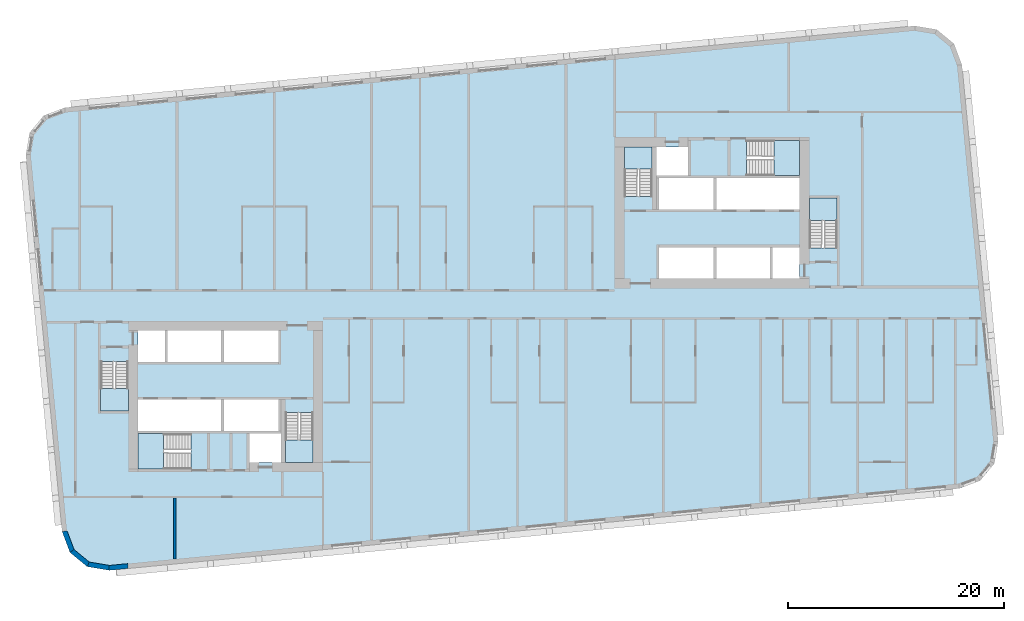
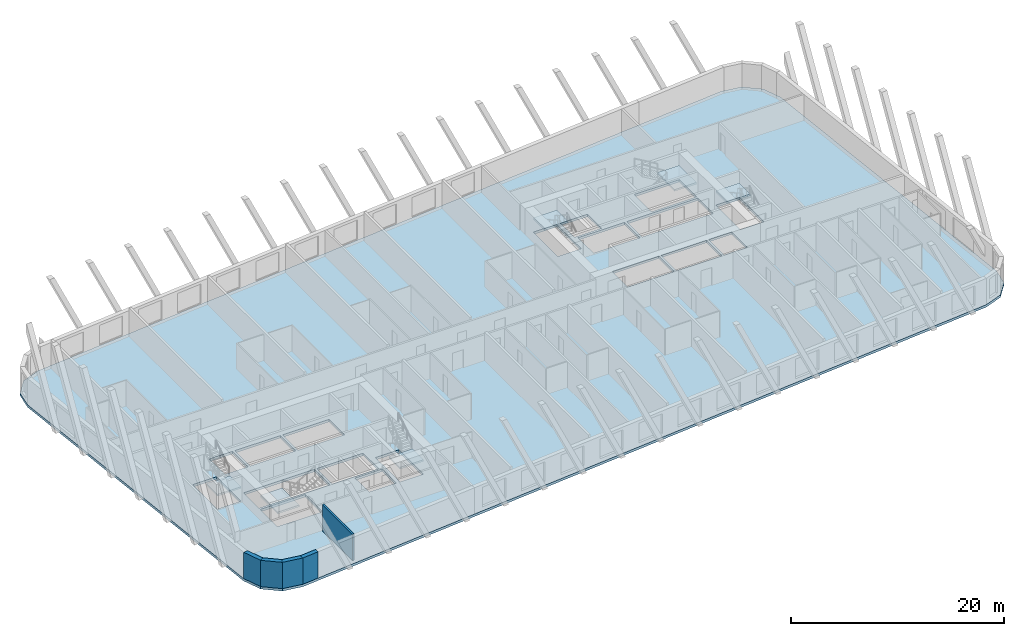
# One storey, part 1 of 13: 7 slabs, 5 walls, 6 elements without a shape of their own.
"""IFC4 building model written with IfcOpenShell, lengths in metres."""

from ifc_helpers import new_model, si_unit, direction, frame, frame_2d, origin, place, context, subcontext, project, spatial, polyline, rectangle, outline, extrude, material, layer, layer_set, type_object, element, aggregate, save


model = new_model("IFC4")

# Units and contexts
model_context = context("Model", 3, precision=1e-05, world=origin(), true_north=direction((0.0, 1.0)))
body_context = subcontext(model_context, "Body", "Model", "MODEL_VIEW")
ifc_project = project(units=[si_unit("LENGTHUNIT", "METRE"), si_unit("AREAUNIT", "SQUARE_METRE"), si_unit("VOLUMEUNIT", "CUBIC_METRE"), si_unit("PLANEANGLEUNIT", "RADIAN"), si_unit("MASSUNIT", "GRAM", prefix="KILO")], contexts=[model_context])

# Site, building, storey
site_placement = place(None, origin())
site = spatial("IfcSite", under=ifc_project, at=site_placement, CompositionType="ELEMENT")
building_placement = place(site_placement, origin())
building = spatial("IfcBuilding", under=site, at=building_placement, Name="Kajstack Hotel Tower", CompositionType="ELEMENT")
storey_placement = place(building_placement, frame((0.0, 0.0, 130.60009765625)))
storey = spatial("IfcBuildingStorey", under=building, at=storey_placement, Name="L29", CompositionType="ELEMENT", Elevation=130.60009765625)

# Slab
ifc_material_1 = material(Name="Concrete C40/50", Category="concrete")
ifc_layer_1 = layer(ifc_material_1, 0.280029296875)
ifc_layer_set_1 = layer_set([ifc_layer_1], Name="RC slab 280 C40/50 guest")
slab_type_1 = type_object("IfcSlabType", Name="RC slab 280 C40/50 guest", PredefinedType="FLOOR", material=ifc_layer_set_1)
slab_1_placement = place(storey_placement, frame((0.0, 0.0, -0.280029296875)))
element("IfcSlab", 1, at=slab_1_placement, inside=storey, type_object=slab_type_1, Name="S-slab-L29", PredefinedType="FLOOR", context=body_context, shape_type="SweptSolid", body=[
    extrude(outline(polyline([(-40.97705078125, 13.85009765625), (-37.622314453125, -20.98876953125), (-36.897216796875, -22.92822265625), (-35.299560546875, -24.2451171875), (-33.257568359375, -24.5869140625), (45.37890625, -17.01513671875), (47.318359375, -16.2900390625), (48.63525390625, -14.6923828125), (48.97705078125, -12.650146484375), (45.622314453125, 22.188720703125), (44.897216796875, 24.128173828125), (43.299560546875, 25.4453125), (41.257568359375, 25.786865234375), (-37.37890625, 18.215087890625), (-39.318359375, 17.489990234375), (-40.63525390625, 15.892333984375), (-40.97705078125, 13.85009765625)]), holes=[polyline([(-30.60009765625, -11.699951171875), (-30.60009765625, -8.800048828125), (-22.89990234375, -8.800048828125), (-22.89990234375, -11.699951171875), (-30.60009765625, -11.699951171875)]), polyline([(-22.64990234375, -11.699951171875), (-22.64990234375, -8.800048828125), (-17.60009765625, -8.800048828125), (-17.60009765625, -11.699951171875), (-22.64990234375, -11.699951171875)]), polyline([(-27.85009765625, -5.300048828125), (-27.85009765625, -2.39990234375), (-22.89990234375, -2.39990234375), (-22.89990234375, -5.300048828125), (-27.85009765625, -5.300048828125)]), polyline([(-22.64990234375, -5.300048828125), (-22.64990234375, -2.39990234375), (-17.60009765625, -2.39990234375), (-17.60009765625, -5.300048828125), (-22.64990234375, -5.300048828125)]), polyline([(-20.300048828125, -14.60009765625), (-17.35009765625, -14.60009765625), (-17.35009765625, -11.949951171875), (-20.300048828125, -11.949951171875), (-20.300048828125, -14.60009765625)]), polyline([(-30.60009765625, -5.300048828125), (-28.10009765625, -5.300048828125), (-28.10009765625, -2.39990234375), (-30.60009765625, -2.39990234375), (-30.60009765625, -5.300048828125)]), polyline([(22.89990234375, 8.800048828125), (22.89990234375, 11.699951171875), (30.60009765625, 11.699951171875), (30.60009765625, 8.800048828125), (22.89990234375, 8.800048828125)]), polyline([(17.60009765625, 8.800048828125), (17.60009765625, 11.699951171875), (22.64990234375, 11.699951171875), (22.64990234375, 8.800048828125), (17.60009765625, 8.800048828125)]), polyline([(22.89990234375, 2.39990234375), (22.89990234375, 5.300048828125), (27.85009765625, 5.300048828125), (27.85009765625, 2.39990234375), (22.89990234375, 2.39990234375)]), polyline([(17.60009765625, 2.39990234375), (17.60009765625, 5.300048828125), (22.64990234375, 5.300048828125), (22.64990234375, 2.39990234375), (17.60009765625, 2.39990234375)]), polyline([(20.300048828125, 14.60009765625), (17.35009765625, 14.60009765625), (17.35009765625, 11.949951171875), (20.300048828125, 11.949951171875), (20.300048828125, 14.60009765625)]), polyline([(30.60009765625, 5.300048828125), (28.10009765625, 5.300048828125), (28.10009765625, 2.39990234375), (30.60009765625, 2.39990234375), (30.60009765625, 5.300048828125)]), polyline([(-34.050048828125, -9.85009765625), (-31.5, -9.85009765625), (-31.5, -5.25), (-34.050048828125, -5.25), (-34.050048828125, -9.85009765625)]), polyline([(-16.949951171875, -14.60009765625), (-14.39990234375, -14.60009765625), (-14.39990234375, -10.0), (-16.949951171875, -10.0), (-16.949951171875, -14.60009765625)]), polyline([(-30.60009765625, -15.199951171875), (-25.699951171875, -15.199951171875), (-25.699951171875, -11.949951171875), (-30.60009765625, -11.949951171875), (-30.60009765625, -15.199951171875)]), polyline([(34.050048828125, 9.85009765625), (31.5, 9.85009765625), (31.5, 5.25), (34.050048828125, 5.25), (34.050048828125, 9.85009765625)]), polyline([(16.949951171875, 14.60009765625), (14.39990234375, 14.60009765625), (14.39990234375, 10.0), (16.949951171875, 10.0), (16.949951171875, 14.60009765625)]), polyline([(30.60009765625, 15.199951171875), (25.699951171875, 15.199951171875), (25.699951171875, 11.949951171875), (30.60009765625, 11.949951171875), (30.60009765625, 15.199951171875)])]), origin(), (0.0, 0.0, 1.0), 0.280029296875),
])

# Stair, slab
stair_type_1 = type_object("IfcStairType", Name="Exit stair 1200", PredefinedType="HALF_TURN_STAIR", material=ifc_material_1)
stair_1_placement = place(storey_placement, origin())
stair_1 = element("IfcStair", 2, at=stair_1_placement, inside=storey, type_object=stair_type_1, Name="L29 stair W1", PredefinedType="HALF_TURN_STAIR")
ifc_layer_2 = layer(ifc_material_1, 0.199951171875)
ifc_layer_set_2 = layer_set([ifc_layer_2], Name="Stair landing 200")
slab_type_2 = type_object("IfcSlabType", Name="Stair landing 200", PredefinedType="LANDING", material=ifc_layer_set_2)
slab_2_placement = place(storey_placement, frame((0.0, 0.0, 1.449951171875)))
slab_2 = element("IfcSlab", 3, at=slab_2_placement, type_object=slab_type_2, Name="W1 landing 1", PredefinedType="LANDING", context=body_context, shape_type="SweptSolid", body=[
    extrude(outline(polyline([(-34.050048828125, -7.77001953125), (-34.050048828125, -9.85009765625), (-31.5, -9.85009765625), (-31.5, -7.77001953125), (-34.050048828125, -7.77001953125)])), origin(), (0.0, 0.0, 1.0), 0.199951171875),
])
aggregate(stair_1, [slab_2])

stair_2_placement = place(storey_placement, origin())
stair_2 = element("IfcStair", 4, at=stair_2_placement, inside=storey, type_object=stair_type_1, Name="L29 stair W2", PredefinedType="HALF_TURN_STAIR")
slab_3_placement = place(storey_placement, frame((0.0, 0.0, 1.449951171875)))
slab_3 = element("IfcSlab", 5, at=slab_3_placement, type_object=slab_type_2, Name="W2 landing 1", PredefinedType="LANDING", context=body_context, shape_type="SweptSolid", body=[
    extrude(outline(polyline([(-16.949951171875, -12.52001953125), (-16.949951171875, -14.60009765625), (-14.39990234375, -14.60009765625), (-14.39990234375, -12.52001953125), (-16.949951171875, -12.52001953125)])), origin(), (0.0, 0.0, 1.0), 0.199951171875),
])
aggregate(stair_2, [slab_3])

stair_type_2 = type_object("IfcStairType", Name="Exit stair 1500", PredefinedType="HALF_TURN_STAIR", material=ifc_material_1)
stair_3_placement = place(storey_placement, origin())
stair_3 = element("IfcStair", 6, at=stair_3_placement, inside=storey, type_object=stair_type_2, Name="L29 stair W3", PredefinedType="HALF_TURN_STAIR")
slab_4_placement = place(storey_placement, frame((0.0, 0.0, 1.449951171875)))
slab_4 = element("IfcSlab", 7, at=slab_4_placement, type_object=slab_type_2, Name="W3 landing 1", PredefinedType="LANDING", context=body_context, shape_type="SweptSolid", body=[
    extrude(outline(polyline([(-28.219970703125, -11.949951171875), (-30.60009765625, -11.949951171875), (-30.60009765625, -15.199951171875), (-28.219970703125, -15.199951171875), (-28.219970703125, -11.949951171875)])), origin(), (0.0, 0.0, 1.0), 0.199951171875),
])
aggregate(stair_3, [slab_4])

stair_4_placement = place(storey_placement, origin())
stair_4 = element("IfcStair", 8, at=stair_4_placement, inside=storey, type_object=stair_type_1, Name="L29 stair E1", PredefinedType="HALF_TURN_STAIR")
slab_5_placement = place(storey_placement, frame((0.0, 0.0, 1.449951171875)))
slab_5 = element("IfcSlab", 9, at=slab_5_placement, type_object=slab_type_2, Name="E1 landing 1", PredefinedType="LANDING", context=body_context, shape_type="SweptSolid", body=[
    extrude(outline(polyline([(34.050048828125, 7.77001953125), (34.050048828125, 9.85009765625), (31.5, 9.85009765625), (31.5, 7.77001953125), (34.050048828125, 7.77001953125)])), origin(), (0.0, 0.0, 1.0), 0.199951171875),
])
aggregate(stair_4, [slab_5])

stair_5_placement = place(storey_placement, origin())
stair_5 = element("IfcStair", 10, at=stair_5_placement, inside=storey, type_object=stair_type_1, Name="L29 stair E2", PredefinedType="HALF_TURN_STAIR")
slab_6_placement = place(storey_placement, frame((0.0, 0.0, 1.449951171875)))
slab_6 = element("IfcSlab", 11, at=slab_6_placement, type_object=slab_type_2, Name="E2 landing 1", PredefinedType="LANDING", context=body_context, shape_type="SweptSolid", body=[
    extrude(outline(polyline([(16.949951171875, 12.52001953125), (16.949951171875, 14.60009765625), (14.39990234375, 14.60009765625), (14.39990234375, 12.52001953125), (16.949951171875, 12.52001953125)])), origin(), (0.0, 0.0, 1.0), 0.199951171875),
])
aggregate(stair_5, [slab_6])

stair_6_placement = place(storey_placement, origin())
stair_6 = element("IfcStair", 12, at=stair_6_placement, inside=storey, type_object=stair_type_2, Name="L29 stair E3", PredefinedType="HALF_TURN_STAIR")
slab_7_placement = place(storey_placement, frame((0.0, 0.0, 1.449951171875)))
slab_7 = element("IfcSlab", 13, at=slab_7_placement, type_object=slab_type_2, Name="E3 landing 1", PredefinedType="LANDING", context=body_context, shape_type="SweptSolid", body=[
    extrude(outline(polyline([(28.219970703125, 11.949951171875), (30.60009765625, 11.949951171875), (30.60009765625, 15.199951171875), (28.219970703125, 15.199951171875), (28.219970703125, 11.949951171875)])), origin(), (0.0, 0.0, 1.0), 0.199951171875),
])
aggregate(stair_6, [slab_7])

# Walls
ifc_material_2 = material(Name="Terracotta-faced brick masonry", Category="masonry")
ifc_layer_3 = layer(ifc_material_2, 0.449951171875)
ifc_layer_set_3 = layer_set([ifc_layer_3], Name="EW-TERRA")
wall_type_1 = type_object("IfcWallType", Name="EW-TERRA", PredefinedType="SOLIDWALL", material=ifc_layer_set_3)
for number, where, z_axis, x_axis, name in (
    (14, (-37.41162109375, -20.909912109375, 0.0), (0.0, 0.0, 1.0), (0.350192909346, -0.936677599948, 0.0), "E-wall-L29-01-00"),
    (15, (-36.754150390625, -22.754638671875, 0.0), (0.0, 0.0, 1.0), (0.771651049663, -0.636046112757, 0.0), "E-wall-L29-02-00"),
):
    element("IfcWall", number, at=place(storey_placement, frame(where, z_axis=z_axis, x_axis=x_axis)), inside=storey, type_object=wall_type_1, Name=name, PredefinedType="SOLIDWALL", context=body_context, shape_type="SweptSolid", body=[
        extrude(outline(polyline([(0.0, -0.22509765625), (2.070556640625, -0.22509765625), (1.949951171875, 0.224853515625), (0.12060546875, 0.22509765625), (0.0, -0.22509765625)])), origin(), (0.0, 0.0, 1.0), 3.02001953125),
    ])
wall_1_placement = place(storey_placement, frame((-35.262451171875, -24.023193359375, 0.0), z_axis=(0.0, 0.0, 1.0), x_axis=(0.986278951104, -0.165087342366, 0.0)))
element("IfcWall", 16, at=wall_1_placement, inside=storey, type_object=wall_type_1, Name="E-wall-L29-03-00", PredefinedType="SOLIDWALL", context=body_context, shape_type="SweptSolid", body=[
    extrude(outline(polyline([(0.0, -0.22509765625), (2.070556640625, -0.22509765625), (1.949951171875, 0.22509765625), (0.12060546875, 0.224853515625), (0.0, -0.22509765625)])), origin(), (0.0, 0.0, 1.0), 3.02001953125),
])
wall_2_placement = place(storey_placement, frame((-33.279052734375, -24.363037109375, 0.0), z_axis=(0.0, 0.0, 1.0), x_axis=(0.995385439311, 0.095957423931, 0.0)))
element("IfcWall", 17, at=wall_2_placement, inside=storey, type_object=wall_type_1, Name="E-wall-L29-04-00", PredefinedType="SOLIDWALL", context=body_context, shape_type="SweptSolid", body=[
    extrude(rectangle(XDim=1.765625, YDim=0.449951171875, at=frame_2d((0.8828125, 0.0))), origin(), (0.0, 0.0, 1.0), 3.02001953125),
])
ifc_material_3 = material(Name="Gypsum board on steel studs, mineral wool", Category="steel")
ifc_layer_4 = layer(ifc_material_3, 0.199951171875)
ifc_layer_set_4 = layer_set([ifc_layer_4], Name="Service partition 200")
wall_type_2 = type_object("IfcWallType", Name="Service partition 200", PredefinedType="PARTITIONING", material=ifc_layer_set_4)
wall_3_placement = place(storey_placement, frame((-27.199951171875, -23.552490234375, 0.0), z_axis=(0.0, 0.0, 1.0), x_axis=(0.0, 1.0, 0.0)))
element("IfcWall", 18, at=wall_3_placement, inside=storey, type_object=wall_type_2, Name="Partition W SLP0", PredefinedType="PARTITIONING", context=body_context, shape_type="SweptSolid", body=[
    extrude(rectangle(XDim=5.652587890625, YDim=0.199951171875, at=frame_2d((2.826171875, 0.0))), origin(), (0.0, 0.0, 1.0), 3.02001953125),
])

save(model, "model.ifc")
